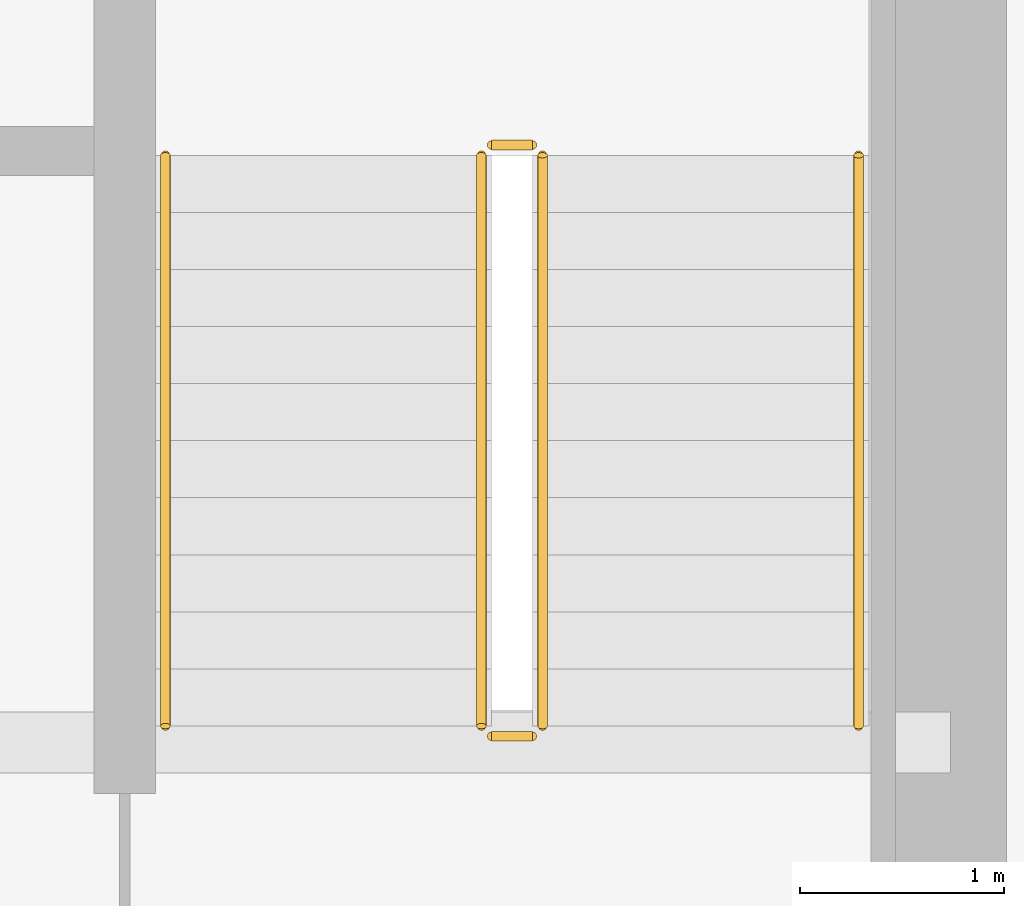
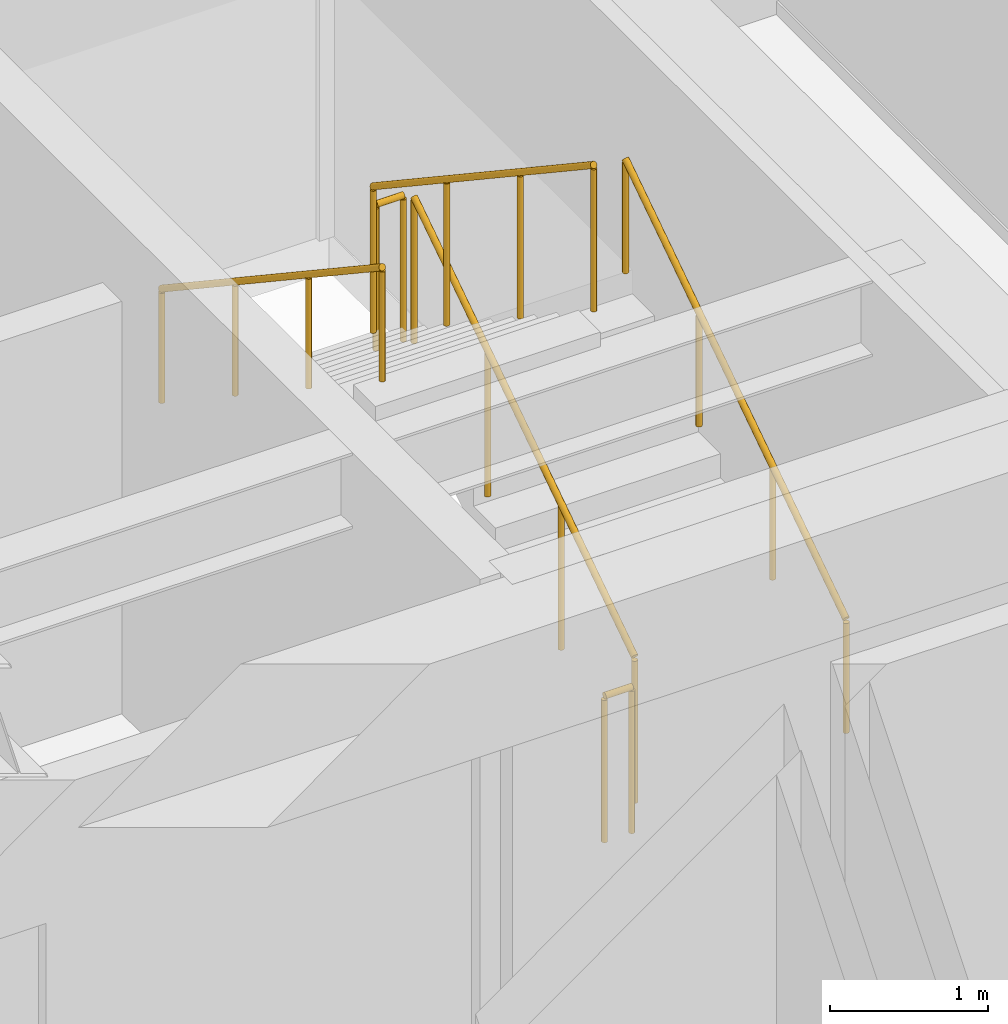
# One storey, part 33 of 33: 6 railings.
"""IFC4 building model written with IfcOpenShell, lengths in metres."""

from ifc_helpers import new_model, si_unit, direction, frame, origin, origin_2d, place, context, subcontext, project, spatial, circle, extrude, source, transform, mapped, material, type_object, type_shapes, element, save


model = new_model("IFC4")

# Units and contexts
model_context = context("Model", 3, precision=1e-05, world=origin(), true_north=direction((0.0, 1.0)))
body_context = subcontext(model_context, "Body", "Model", "MODEL_VIEW")
ifc_project = project(units=[si_unit("LENGTHUNIT", "METRE"), si_unit("AREAUNIT", "SQUARE_METRE"), si_unit("VOLUMEUNIT", "CUBIC_METRE"), si_unit("PLANEANGLEUNIT", "RADIAN"), si_unit("MASSUNIT", "GRAM", prefix="KILO")], contexts=[model_context])

# Site, building, storey
site_placement = place(None, origin())
site = spatial("IfcSite", under=ifc_project, at=site_placement, CompositionType="ELEMENT")
building_placement = place(site_placement, origin())
building = spatial("IfcBuilding", under=site, at=building_placement, Name="Haelvirn Gate Laboratories", CompositionType="ELEMENT")
storey_placement = place(building_placement, frame((0.0, 0.0, 287.5)))
storey = spatial("IfcBuildingStorey", under=building, at=storey_placement, Name="L69", CompositionType="ELEMENT", Elevation=287.5)

# Railings
ifc_material_1 = material(Name="Galvanised steel SM355 & stainless top rail", Category="steel")
railing_type_1 = type_object("IfcRailingType", Name="RL-GUARD-1150", PredefinedType="GUARDRAIL", material=ifc_material_1)
shared_shape_1 = source(origin(), body_context, "Body", "SweptSolid", [
    extrude(circle(Radius=0.02392578125, at=origin_2d()), frame((0.0, 0.0, 1.1259765625), z_axis=(0.0, -0.832452072856, 0.554097055034), x_axis=(1.0, 0.0, 0.0)), (0.0, 0.0, 1.0), 3.363525390625),
    extrude(circle(Radius=0.02099609375, at=origin_2d()), origin(), (0.0, 0.0, 1.0), 1.101806640625),
    extrude(circle(Radius=0.02099609375, at=origin_2d()), frame((0.0, -0.933349609375, 0.621337890625)), (0.0, 0.0, 1.0), 1.101806640625),
    extrude(circle(Radius=0.02099609375, at=origin_2d()), frame((0.0, -1.86669921875, 1.242431640625)), (0.0, 0.0, 1.0), 1.101806640625),
    extrude(circle(Radius=0.02099609375, at=origin_2d()), frame((0.0, -2.800048828125, 1.86376953125)), (0.0, 0.0, 1.0), 1.101806640625),
])
railing_1_placement = place(storey_placement, frame((65.10009765625, 29.5, 2.236328125)))
element("IfcRailing", 1, at=railing_1_placement, inside=storey, type_object=railing_type_1, Name="L69 ST2 stair guard 3", PredefinedType="GUARDRAIL", context=body_context, shape_type="MappedRepresentation", body=[
    mapped(shared_shape_1, transform((0.0, 0.0, 0.0), scale=1.0)),
])
ifc_material_2 = material(Name="Brushed stainless steel 316L", Category="steel")
railing_type_2 = type_object("IfcRailingType", Name="RL-HAND-920", PredefinedType="HANDRAIL", material=ifc_material_2)
shared_shape_2 = source(origin(), body_context, "Body", "SweptSolid", [
    extrude(circle(Radius=0.02392578125, at=origin_2d()), frame((0.0, 0.0, 0.8759765625), z_axis=(0.0, -0.832452072856, 0.554097055034), x_axis=(1.0, 0.0, 0.0)), (0.0, 0.0, 1.0), 3.363525390625),
    extrude(circle(Radius=0.02099609375, at=origin_2d()), origin(), (0.0, 0.0, 1.0), 0.851806640625),
    extrude(circle(Radius=0.02099609375, at=origin_2d()), frame((0.0, -0.933349609375, 0.621337890625)), (0.0, 0.0, 1.0), 0.851806640625),
    extrude(circle(Radius=0.02099609375, at=origin_2d()), frame((0.0, -1.86669921875, 1.242431640625)), (0.0, 0.0, 1.0), 0.851806640625),
    extrude(circle(Radius=0.02099609375, at=origin_2d()), frame((0.0, -2.800048828125, 1.86376953125)), (0.0, 0.0, 1.0), 0.851806640625),
])
railing_2_placement = place(storey_placement, frame((63.550048828125, 29.5, 2.236328125)))
element("IfcRailing", 2, at=railing_2_placement, inside=storey, type_object=railing_type_2, Name="L69 ST2 stair handrail 2", PredefinedType="HANDRAIL", context=body_context, shape_type="MappedRepresentation", body=[
    mapped(shared_shape_2, transform((0.0, 0.0, 0.0), scale=1.0)),
])
shared_shape_3 = source(origin(), body_context, "Body", "SweptSolid", [
    extrude(circle(Radius=0.02392578125, at=origin_2d()), frame((0.0, 0.0, 1.1259765625), z_axis=(0.0, 0.832452072856, 0.554097055034), x_axis=(-1.0, 0.0, 0.0)), (0.0, 0.0, 1.0), 3.363525390625),
    extrude(circle(Radius=0.02099609375, at=origin_2d()), origin(), (0.0, 0.0, 1.0), 1.101806640625),
    extrude(circle(Radius=0.02099609375, at=origin_2d()), frame((0.0, 0.933349609375, 0.621337890625)), (0.0, 0.0, 1.0), 1.101806640625),
    extrude(circle(Radius=0.02099609375, at=origin_2d()), frame((0.0, 1.86669921875, 1.242431640625)), (0.0, 0.0, 1.0), 1.101806640625),
    extrude(circle(Radius=0.02099609375, at=origin_2d()), frame((0.0, 2.800048828125, 1.86376953125)), (0.0, 0.0, 1.0), 1.101806640625),
])
railing_3_placement = place(storey_placement, frame((65.39990234375, 26.699951171875, 0.186279296875)))
element("IfcRailing", 3, at=railing_3_placement, inside=storey, type_object=railing_type_1, Name="L69 ST2 stair guard 1", PredefinedType="GUARDRAIL", context=body_context, shape_type="MappedRepresentation", body=[
    mapped(shared_shape_3, transform((0.0, 0.0, 0.0), scale=1.0)),
])
shared_shape_4 = source(origin(), body_context, "Body", "SweptSolid", [
    extrude(circle(Radius=0.02392578125, at=origin_2d()), frame((0.0, 0.0, 0.8759765625), z_axis=(0.0, 0.832452072856, 0.554097055034), x_axis=(-1.0, 0.0, 0.0)), (0.0, 0.0, 1.0), 3.363525390625),
    extrude(circle(Radius=0.02099609375, at=origin_2d()), origin(), (0.0, 0.0, 1.0), 0.851806640625),
    extrude(circle(Radius=0.02099609375, at=origin_2d()), frame((0.0, 0.933349609375, 0.621337890625)), (0.0, 0.0, 1.0), 0.851806640625),
    extrude(circle(Radius=0.02099609375, at=origin_2d()), frame((0.0, 1.86669921875, 1.242431640625)), (0.0, 0.0, 1.0), 0.851806640625),
    extrude(circle(Radius=0.02099609375, at=origin_2d()), frame((0.0, 2.800048828125, 1.86376953125)), (0.0, 0.0, 1.0), 0.851806640625),
])
type_shapes(railing_type_2, [shared_shape_2, shared_shape_4])
railing_4_placement = place(storey_placement, frame((66.949951171875, 26.699951171875, 0.186279296875)))
element("IfcRailing", 4, at=railing_4_placement, inside=storey, type_object=railing_type_2, Name="L69 ST2 stair handrail 1", PredefinedType="HANDRAIL", context=body_context, shape_type="MappedRepresentation", body=[
    mapped(shared_shape_4, transform((0.0, 0.0, 0.0), scale=1.0)),
])
shared_shape_5 = source(origin(), body_context, "Body", "SweptSolid", [
    extrude(circle(Radius=0.02392578125, at=origin_2d()), frame((0.0, 0.0, 1.1259765625), z_axis=(-1.0, 0.0, 0.0), x_axis=(0.0, -1.0, 0.0)), (0.0, 0.0, 1.0), 0.2001953125),
    extrude(circle(Radius=0.02099609375, at=origin_2d()), origin(), (0.0, 0.0, 1.0), 1.101806640625),
    extrude(circle(Radius=0.02099609375, at=origin_2d()), frame((-0.2001953125, 0.0, 0.0)), (0.0, 0.0, 1.0), 1.101806640625),
])
type_shapes(railing_type_1, [shared_shape_1, shared_shape_3, shared_shape_5])
for number, where, name in (
    (5, (65.35009765625, 29.550048828125, 2.050048828125), "L69 ST2 stair guard 2"),
    (6, (65.35009765625, 26.64990234375, 0.0), "L69 ST2 stair guard 4"),
):
    element("IfcRailing", number, at=place(storey_placement, frame(where)), inside=storey, type_object=railing_type_1, Name=name, PredefinedType="GUARDRAIL", context=body_context, shape_type="MappedRepresentation", body=[
        mapped(shared_shape_5, transform((0.0, 0.0, 0.0), scale=1.0)),
    ])

save(model, "model.ifc")
